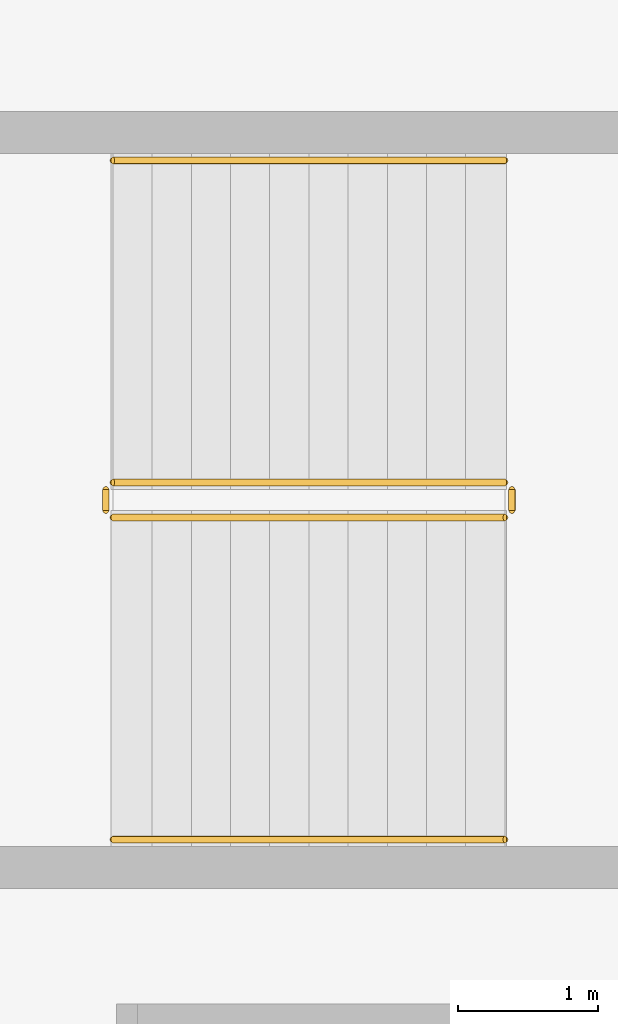
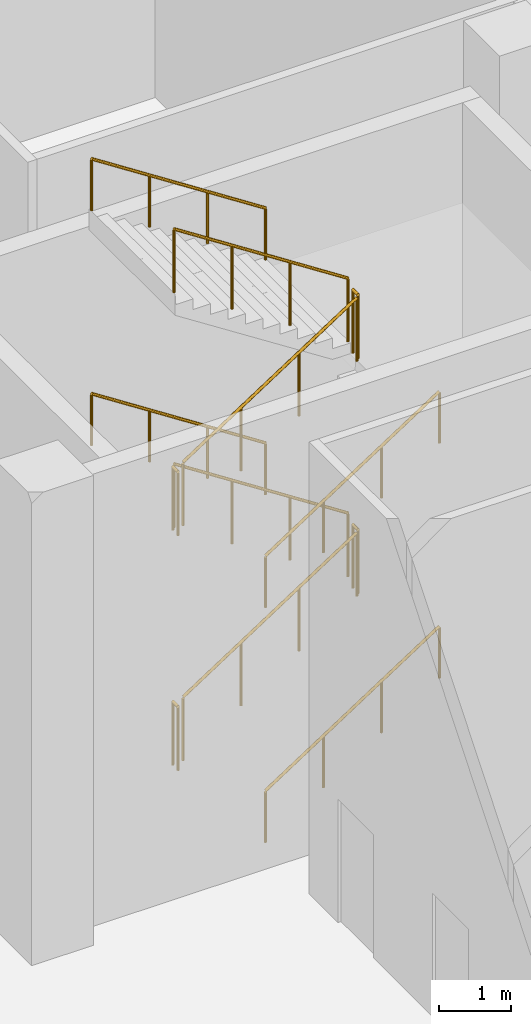
# One storey, part 37 of 41: 12 railings.
"""IFC4 building model written with IfcOpenShell, lengths in metres."""

from ifc_helpers import new_model, si_unit, direction, frame, origin, origin_2d, place, context, subcontext, project, spatial, circle, extrude, material, type_object, element, save


model = new_model("IFC4")

# Units and contexts
model_context = context("Model", 3, precision=1e-05, world=origin(), true_north=direction((0.0, 1.0)))
body_context = subcontext(model_context, "Body", "Model", "MODEL_VIEW")
ifc_project = project(units=[si_unit("LENGTHUNIT", "METRE"), si_unit("AREAUNIT", "SQUARE_METRE"), si_unit("VOLUMEUNIT", "CUBIC_METRE"), si_unit("PLANEANGLEUNIT", "RADIAN"), si_unit("MASSUNIT", "GRAM", prefix="KILO")], contexts=[model_context])

# Site, building, storey
site_placement = place(None, origin())
site = spatial("IfcSite", under=ifc_project, at=site_placement, CompositionType="ELEMENT")
building_placement = place(site_placement, origin())
building = spatial("IfcBuilding", under=site, at=building_placement, Name="Wharfspan Tower", CompositionType="ELEMENT")
storey_placement = place(building_placement, origin())
storey = spatial("IfcBuildingStorey", under=building, at=storey_placement, Name="L00", CompositionType="ELEMENT", Elevation=0.0)

# Railings
ifc_material = material(Name="Steel S355J2", Category="steel")
railing_type_1 = type_object("IfcRailingType", Name="Podium guard 1100", PredefinedType="GUARDRAIL", material=ifc_material)
railing_1_placement = place(storey_placement, frame((99.699951, 22.550049, 0.181885)))
element("IfcRailing", 1, at=railing_1_placement, inside=storey, type_object=railing_type_1, Name="L00 AS4 stair guard 1", PredefinedType="GUARDRAIL", context=body_context, shape_type="SweptSolid", body=[
    extrude(circle(Radius=0.023926, at=origin_2d()), frame((0.0, 0.0, 1.076172), z_axis=(0.838706, 0.0, 0.544585), x_axis=(0.0, 1.0, 0.0)), (0.0, 0.0, 1.0), 3.338623),
    extrude(circle(Radius=0.020996, at=origin_2d()), origin(), (0.0, 0.0, 1.0), 1.052002),
    extrude(circle(Radius=0.020996, at=origin_2d()), frame((0.93335, 0.0, 0.605957)), (0.0, 0.0, 1.0), 1.052002),
    extrude(circle(Radius=0.020996, at=origin_2d()), frame((1.866699, 0.0, 1.212158)), (0.0, 0.0, 1.0), 1.052002),
    extrude(circle(Radius=0.020996, at=origin_2d()), frame((2.800049, 0.0, 1.818115)), (0.0, 0.0, 1.0), 1.052002),
])
railing_2_placement = place(storey_placement, frame((102.550049, 22.600098, 2.0)))
element("IfcRailing", 2, at=railing_2_placement, inside=storey, type_object=railing_type_1, Name="L00 AS4 stair guard 2", PredefinedType="GUARDRAIL", context=body_context, shape_type="SweptSolid", body=[
    extrude(circle(Radius=0.023926, at=origin_2d()), frame((0.0, 0.0, 1.076172), z_axis=(0.0, 1.0, 0.0), x_axis=(-1.0, 0.0, 0.0)), (0.0, 0.0, 1.0), 0.149902),
    extrude(circle(Radius=0.020996, at=origin_2d()), origin(), (0.0, 0.0, 1.0), 1.052002),
    extrude(circle(Radius=0.020996, at=origin_2d()), frame((0.0, 0.149902, 0.0)), (0.0, 0.0, 1.0), 1.052002),
])
railing_3_placement = place(storey_placement, frame((102.5, 22.800049, 2.181885)))
element("IfcRailing", 3, at=railing_3_placement, inside=storey, type_object=railing_type_1, Name="L00 AS4 stair guard 3", PredefinedType="GUARDRAIL", context=body_context, shape_type="SweptSolid", body=[
    extrude(circle(Radius=0.023926, at=origin_2d()), frame((0.0, 0.0, 1.076172), z_axis=(-0.838706, 0.0, 0.544585), x_axis=(0.0, -1.0, 0.0)), (0.0, 0.0, 1.0), 3.338623),
    extrude(circle(Radius=0.020996, at=origin_2d()), origin(), (0.0, 0.0, 1.0), 1.052002),
    extrude(circle(Radius=0.020996, at=origin_2d()), frame((-0.93335, 0.0, 0.605957)), (0.0, 0.0, 1.0), 1.052002),
    extrude(circle(Radius=0.020996, at=origin_2d()), frame((-1.866699, 0.0, 1.212158)), (0.0, 0.0, 1.0), 1.052002),
    extrude(circle(Radius=0.020996, at=origin_2d()), frame((-2.800049, 0.0, 1.818115)), (0.0, 0.0, 1.0), 1.052002),
])
railing_4_placement = place(storey_placement, frame((99.649902, 22.600098, 4.0)))
element("IfcRailing", 4, at=railing_4_placement, inside=storey, type_object=railing_type_1, Name="L00 AS4 stair guard 4", PredefinedType="GUARDRAIL", context=body_context, shape_type="SweptSolid", body=[
    extrude(circle(Radius=0.023926, at=origin_2d()), frame((0.0, 0.0, 1.076172), z_axis=(0.0, 1.0, 0.0), x_axis=(-1.0, 0.0, 0.0)), (0.0, 0.0, 1.0), 0.149902),
    extrude(circle(Radius=0.020996, at=origin_2d()), origin(), (0.0, 0.0, 1.0), 1.052002),
    extrude(circle(Radius=0.020996, at=origin_2d()), frame((0.0, 0.149902, 0.0)), (0.0, 0.0, 1.0), 1.052002),
])
railing_5_placement = place(storey_placement, frame((99.699951, 22.550049, 4.181885)))
element("IfcRailing", 5, at=railing_5_placement, inside=storey, type_object=railing_type_1, Name="L00 AS4 stair guard 5", PredefinedType="GUARDRAIL", context=body_context, shape_type="SweptSolid", body=[
    extrude(circle(Radius=0.023926, at=origin_2d()), frame((0.0, 0.0, 1.076172), z_axis=(0.838706, 0.0, 0.544585), x_axis=(0.0, 1.0, 0.0)), (0.0, 0.0, 1.0), 3.338623),
    extrude(circle(Radius=0.020996, at=origin_2d()), origin(), (0.0, 0.0, 1.0), 1.052002),
    extrude(circle(Radius=0.020996, at=origin_2d()), frame((0.93335, 0.0, 0.605957)), (0.0, 0.0, 1.0), 1.052002),
    extrude(circle(Radius=0.020996, at=origin_2d()), frame((1.866699, 0.0, 1.212158)), (0.0, 0.0, 1.0), 1.052002),
    extrude(circle(Radius=0.020996, at=origin_2d()), frame((2.800049, 0.0, 1.818115)), (0.0, 0.0, 1.0), 1.052002),
])
railing_6_placement = place(storey_placement, frame((102.550049, 22.600098, 6.0)))
element("IfcRailing", 6, at=railing_6_placement, inside=storey, type_object=railing_type_1, Name="L00 AS4 stair guard 6", PredefinedType="GUARDRAIL", context=body_context, shape_type="SweptSolid", body=[
    extrude(circle(Radius=0.023926, at=origin_2d()), frame((0.0, 0.0, 1.076172), z_axis=(0.0, 1.0, 0.0), x_axis=(-1.0, 0.0, 0.0)), (0.0, 0.0, 1.0), 0.149902),
    extrude(circle(Radius=0.020996, at=origin_2d()), origin(), (0.0, 0.0, 1.0), 1.052002),
    extrude(circle(Radius=0.020996, at=origin_2d()), frame((0.0, 0.149902, 0.0)), (0.0, 0.0, 1.0), 1.052002),
])
railing_7_placement = place(storey_placement, frame((102.5, 22.800049, 6.181885)))
element("IfcRailing", 7, at=railing_7_placement, inside=storey, type_object=railing_type_1, Name="L00 AS4 stair guard 7", PredefinedType="GUARDRAIL", context=body_context, shape_type="SweptSolid", body=[
    extrude(circle(Radius=0.023926, at=origin_2d()), frame((0.0, 0.0, 1.076172), z_axis=(-0.838706, 0.0, 0.544585), x_axis=(0.0, -1.0, 0.0)), (0.0, 0.0, 1.0), 3.338623),
    extrude(circle(Radius=0.020996, at=origin_2d()), origin(), (0.0, 0.0, 1.0), 1.052002),
    extrude(circle(Radius=0.020996, at=origin_2d()), frame((-0.93335, 0.0, 0.605957)), (0.0, 0.0, 1.0), 1.052002),
    extrude(circle(Radius=0.020996, at=origin_2d()), frame((-1.866699, 0.0, 1.212158)), (0.0, 0.0, 1.0), 1.052002),
    extrude(circle(Radius=0.020996, at=origin_2d()), frame((-2.800049, 0.0, 1.818115)), (0.0, 0.0, 1.0), 1.052002),
])
railing_8_placement = place(storey_placement, frame((99.649902, 22.600098, 0.0)))
element("IfcRailing", 8, at=railing_8_placement, inside=storey, type_object=railing_type_1, Name="L00 AS4 stair guard 8", PredefinedType="GUARDRAIL", context=body_context, shape_type="SweptSolid", body=[
    extrude(circle(Radius=0.023926, at=origin_2d()), frame((0.0, 0.0, 1.076172), z_axis=(0.0, 1.0, 0.0), x_axis=(-1.0, 0.0, 0.0)), (0.0, 0.0, 1.0), 0.149902),
    extrude(circle(Radius=0.020996, at=origin_2d()), origin(), (0.0, 0.0, 1.0), 1.052002),
    extrude(circle(Radius=0.020996, at=origin_2d()), frame((0.0, 0.149902, 0.0)), (0.0, 0.0, 1.0), 1.052002),
])
railing_type_2 = type_object("IfcRailingType", Name="Podium stair handrail 900", PredefinedType="HANDRAIL", material=ifc_material)
railing_9_placement = place(storey_placement, frame((99.699951, 20.25, 0.181885)))
element("IfcRailing", 9, at=railing_9_placement, inside=storey, type_object=railing_type_2, Name="L00 AS4 stair handrail 1", PredefinedType="HANDRAIL", context=body_context, shape_type="SweptSolid", body=[
    extrude(circle(Radius=0.023926, at=origin_2d()), frame((0.0, 0.0, 0.875977), z_axis=(0.838706, 0.0, 0.544585), x_axis=(0.0, 1.0, 0.0)), (0.0, 0.0, 1.0), 3.338623),
    extrude(circle(Radius=0.020996, at=origin_2d()), origin(), (0.0, 0.0, 1.0), 0.851807),
    extrude(circle(Radius=0.020996, at=origin_2d()), frame((0.93335, 0.0, 0.605957)), (0.0, 0.0, 1.0), 0.851807),
    extrude(circle(Radius=0.020996, at=origin_2d()), frame((1.866699, 0.0, 1.212158)), (0.0, 0.0, 1.0), 0.851807),
    extrude(circle(Radius=0.020996, at=origin_2d()), frame((2.800049, 0.0, 1.818115)), (0.0, 0.0, 1.0), 0.851807),
])
railing_10_placement = place(storey_placement, frame((102.5, 25.100098, 2.181885)))
element("IfcRailing", 10, at=railing_10_placement, inside=storey, type_object=railing_type_2, Name="L00 AS4 stair handrail 2", PredefinedType="HANDRAIL", context=body_context, shape_type="SweptSolid", body=[
    extrude(circle(Radius=0.023926, at=origin_2d()), frame((0.0, 0.0, 0.875977), z_axis=(-0.838706, 0.0, 0.544585), x_axis=(0.0, -1.0, 0.0)), (0.0, 0.0, 1.0), 3.338623),
    extrude(circle(Radius=0.020996, at=origin_2d()), origin(), (0.0, 0.0, 1.0), 0.851807),
    extrude(circle(Radius=0.020996, at=origin_2d()), frame((-0.93335, 0.0, 0.605957)), (0.0, 0.0, 1.0), 0.851807),
    extrude(circle(Radius=0.020996, at=origin_2d()), frame((-1.866699, 0.0, 1.212158)), (0.0, 0.0, 1.0), 0.851807),
    extrude(circle(Radius=0.020996, at=origin_2d()), frame((-2.800049, 0.0, 1.818115)), (0.0, 0.0, 1.0), 0.851807),
])
railing_11_placement = place(storey_placement, frame((99.699951, 20.25, 4.181885)))
element("IfcRailing", 11, at=railing_11_placement, inside=storey, type_object=railing_type_2, Name="L00 AS4 stair handrail 3", PredefinedType="HANDRAIL", context=body_context, shape_type="SweptSolid", body=[
    extrude(circle(Radius=0.023926, at=origin_2d()), frame((0.0, 0.0, 0.875977), z_axis=(0.838706, 0.0, 0.544585), x_axis=(0.0, 1.0, 0.0)), (0.0, 0.0, 1.0), 3.338623),
    extrude(circle(Radius=0.020996, at=origin_2d()), origin(), (0.0, 0.0, 1.0), 0.851807),
    extrude(circle(Radius=0.020996, at=origin_2d()), frame((0.93335, 0.0, 0.605957)), (0.0, 0.0, 1.0), 0.851807),
    extrude(circle(Radius=0.020996, at=origin_2d()), frame((1.866699, 0.0, 1.212158)), (0.0, 0.0, 1.0), 0.851807),
    extrude(circle(Radius=0.020996, at=origin_2d()), frame((2.800049, 0.0, 1.818115)), (0.0, 0.0, 1.0), 0.851807),
])
railing_12_placement = place(storey_placement, frame((102.5, 25.100098, 6.181885)))
element("IfcRailing", 12, at=railing_12_placement, inside=storey, type_object=railing_type_2, Name="L00 AS4 stair handrail 4", PredefinedType="HANDRAIL", context=body_context, shape_type="SweptSolid", body=[
    extrude(circle(Radius=0.023926, at=origin_2d()), frame((0.0, 0.0, 0.875977), z_axis=(-0.838706, 0.0, 0.544585), x_axis=(0.0, -1.0, 0.0)), (0.0, 0.0, 1.0), 3.338623),
    extrude(circle(Radius=0.020996, at=origin_2d()), origin(), (0.0, 0.0, 1.0), 0.851807),
    extrude(circle(Radius=0.020996, at=origin_2d()), frame((-0.93335, 0.0, 0.605957)), (0.0, 0.0, 1.0), 0.851807),
    extrude(circle(Radius=0.020996, at=origin_2d()), frame((-1.866699, 0.0, 1.212158)), (0.0, 0.0, 1.0), 0.851807),
    extrude(circle(Radius=0.020996, at=origin_2d()), frame((-2.800049, 0.0, 1.818115)), (0.0, 0.0, 1.0), 0.851807),
])

save(model, "model.ifc")
